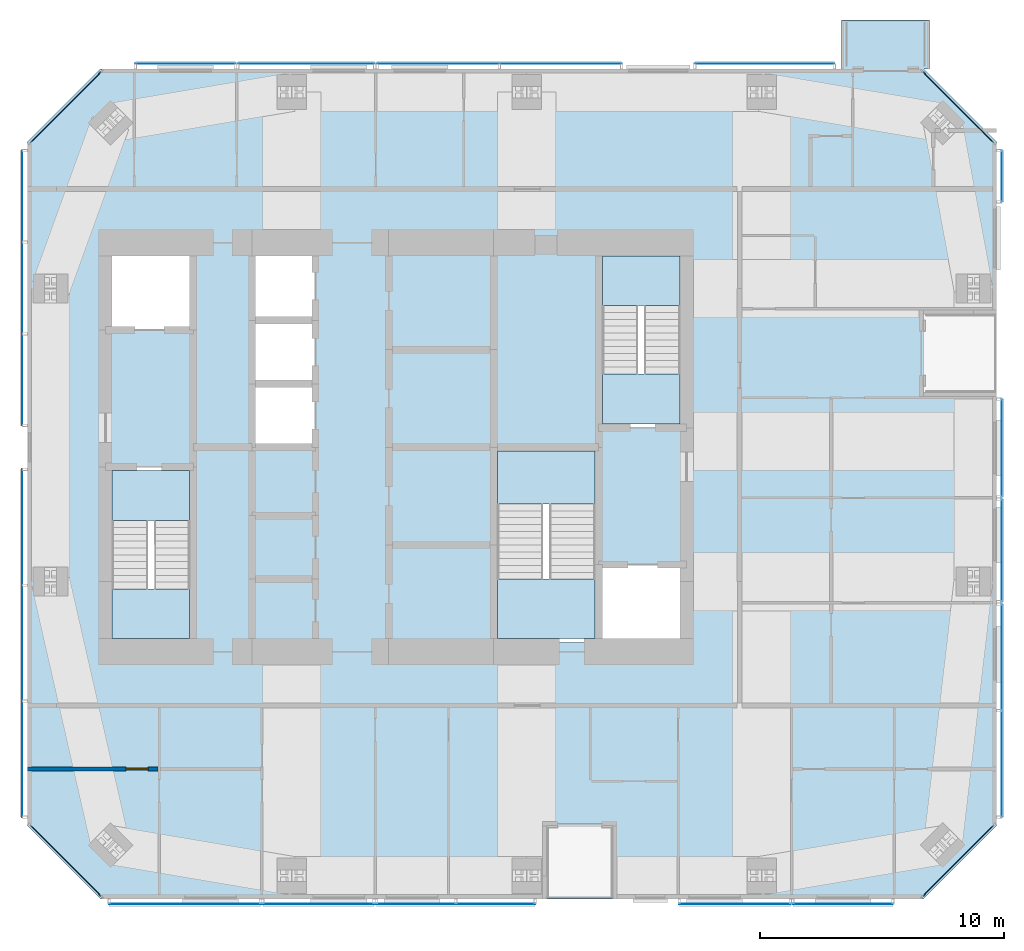
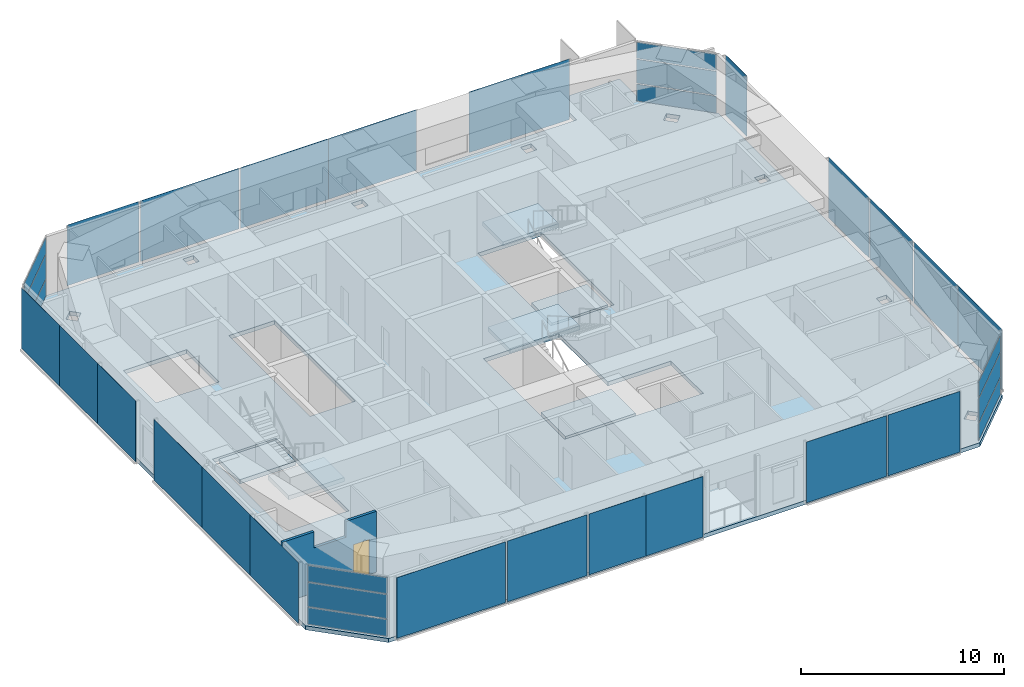
# One storey, part 13 of 20: 34 plates, 7 slabs, 1 door, 1 wall, 1 opening, 22 elements without a shape of their own.
"""IFC4 building model written with IfcOpenShell, lengths in metres."""

from ifc_helpers import new_model, si_unit, direction, frame, frame_2d, origin, origin_2d, place, context, subcontext, project, spatial, polyline, rectangle, outline, extrude, material, layer, layer_set, constituent, constituent_set, type_object, element, fill, aggregate, save


model = new_model("IFC4")

# Units and contexts
model_context = context("Model", 3, precision=1e-05, world=origin(), true_north=direction((0.0, 1.0)))
body_context = subcontext(model_context, "Body", "Model", "MODEL_VIEW")
ifc_project = project(units=[si_unit("LENGTHUNIT", "METRE"), si_unit("AREAUNIT", "SQUARE_METRE"), si_unit("VOLUMEUNIT", "CUBIC_METRE"), si_unit("PLANEANGLEUNIT", "RADIAN"), si_unit("MASSUNIT", "GRAM", prefix="KILO")], contexts=[model_context])

# Site, building, storey
site_placement = place(None, origin())
site = spatial("IfcSite", under=ifc_project, at=site_placement, CompositionType="ELEMENT")
building_placement = place(site_placement, origin())
building = spatial("IfcBuilding", under=site, at=building_placement, Name="Jalousie Tower", CompositionType="ELEMENT")
storey_placement = place(building_placement, frame((0.0, 0.0, 259.949951171875)))
storey = spatial("IfcBuildingStorey", under=building, at=storey_placement, Name="L71", CompositionType="ELEMENT", Elevation=259.949951171875)

# Slab
ifc_material_1 = material(Name="Concrete f'c 40 MPa", Category="concrete")
ifc_layer_1 = layer(ifc_material_1, 0.239990234375)
ifc_layer_set_1 = layer_set([ifc_layer_1], Name="Concrete f'c 40 MPa")
slab_type_1 = type_object("IfcSlabType", Name="FLOOR SLAB 240", PredefinedType="FLOOR", material=ifc_layer_set_1)
slab_1_placement = place(storey_placement, frame((0.0, 0.0, -0.239990234375)))
element("IfcSlab", 1, at=slab_1_placement, inside=storey, type_object=slab_type_1, Name="L71 floor slab", PredefinedType="FLOOR", context=body_context, shape_type="SweptSolid", body=[
    extrude(outline(polyline([(16.800048828125, 3.0), (16.800048828125, 31.0), (19.800048828125, 34.0), (50.148681640625, 34.0), (50.148681640625, 36.0), (53.748779296875, 36.0), (53.748779296875, 34.0), (53.5, 34.0), (56.5, 31.0), (56.5, 3.0), (53.5, 0.0), (19.800048828125, 0.0), (16.800048828125, 3.0)]), holes=[polyline([(55.263916015625, 13.300048828125), (55.263916015625, 12.699951171875), (55.836181640625, 12.699951171875), (55.836181640625, 13.300048828125), (55.263916015625, 13.300048828125)]), polyline([(55.836181640625, 24.699951171875), (55.836181640625, 25.300048828125), (55.263916015625, 25.300048828125), (55.263916015625, 24.699951171875), (55.836181640625, 24.699951171875)]), polyline([(54.247802734375, 32.242919921875), (53.843017578125, 31.837890625), (54.337890625, 31.343017578125), (54.742919921875, 31.747802734375), (54.247802734375, 32.242919921875)]), polyline([(54.337890625, 2.656982421875), (53.843017578125, 2.162109375), (54.247802734375, 1.757080078125), (54.742919921875, 2.252197265625), (54.337890625, 2.656982421875)]), polyline([(46.574951171875, 32.763916015625), (47.175048828125, 32.763916015625), (47.175048828125, 33.336181640625), (46.574951171875, 33.336181640625), (46.574951171875, 32.763916015625)]), polyline([(46.574951171875, 0.663818359375), (47.175048828125, 0.663818359375), (47.175048828125, 1.236083984375), (46.574951171875, 1.236083984375), (46.574951171875, 0.663818359375)]), polyline([(43.800048828125, 10.5), (43.800048828125, 13.699951171875), (40.199951171875, 13.699951171875), (40.199951171875, 18.5), (35.89990234375, 18.5), (35.89990234375, 10.5), (43.800048828125, 10.5)]), polyline([(43.800048828125, 19.300048828125), (43.800048828125, 26.5), (40.199951171875, 26.5), (40.199951171875, 19.300048828125), (43.800048828125, 19.300048828125)]), polyline([(36.949951171875, 32.763916015625), (37.550048828125, 32.763916015625), (37.550048828125, 33.336181640625), (36.949951171875, 33.336181640625), (36.949951171875, 32.763916015625)]), polyline([(37.550048828125, 1.236083984375), (36.949951171875, 1.236083984375), (36.949951171875, 0.663818359375), (37.550048828125, 0.663818359375), (37.550048828125, 1.236083984375)]), polyline([(28.60009765625, 18.5), (28.60009765625, 26.5), (26.0, 26.5), (26.0, 18.5), (28.60009765625, 18.5)]), polyline([(27.324951171875, 32.763916015625), (27.925048828125, 32.763916015625), (27.925048828125, 33.336181640625), (27.324951171875, 33.336181640625), (27.324951171875, 32.763916015625)]), polyline([(27.324951171875, 0.663818359375), (27.925048828125, 0.663818359375), (27.925048828125, 1.236083984375), (27.324951171875, 1.236083984375), (27.324951171875, 0.663818359375)]), polyline([(23.60009765625, 23.300048828125), (23.60009765625, 26.5), (20.0, 26.5), (20.0, 23.300048828125), (23.60009765625, 23.300048828125)]), polyline([(23.60009765625, 10.5), (23.60009765625, 17.699951171875), (20.0, 17.699951171875), (20.0, 10.5), (23.60009765625, 10.5)]), polyline([(19.757080078125, 2.252197265625), (20.252197265625, 1.757080078125), (20.656982421875, 2.162109375), (20.162109375, 2.656982421875), (19.757080078125, 2.252197265625)]), polyline([(19.757080078125, 31.747802734375), (20.162109375, 31.343017578125), (20.656982421875, 31.837890625), (20.252197265625, 32.242919921875), (19.757080078125, 31.747802734375)]), polyline([(18.0361328125, 12.699951171875), (18.0361328125, 13.300048828125), (17.4638671875, 13.300048828125), (17.4638671875, 12.699951171875), (18.0361328125, 12.699951171875)]), polyline([(17.4638671875, 25.300048828125), (17.4638671875, 24.699951171875), (18.0361328125, 24.699951171875), (18.0361328125, 25.300048828125), (17.4638671875, 25.300048828125)])]), origin(), (0.0, 0.0, 1.0), 0.239990234375),
])

# Curtain wall, plates
ifc_material_2 = material(Name="Aluminium curtain wall", Category="aluminium")
curtain_wall_type_1 = type_object("IfcCurtainWallType", Name="PENTHOUSE CORNER WINDOW WALL", PredefinedType="USERDEFINED", material=ifc_material_2)
curtain_wall_1_placement = place(storey_placement, origin())
curtain_wall_1 = element("IfcCurtainWall", 2, at=curtain_wall_1_placement, inside=storey, type_object=curtain_wall_type_1, Name="Penthouse Corner Window Wall L71 2", ObjectType="PENTHOUSE CORNER WINDOW WALL", PredefinedType="USERDEFINED")
ifc_material_3 = material(Name="Laminated impact-rated spandrel glass", Category="glass")
ifc_layer_2 = layer(ifc_material_3, 0.033935546875)
ifc_layer_set_2 = layer_set([ifc_layer_2], Name="Laminated impact-rated spandrel glass")
plate_type_1 = type_object("IfcPlateType", Name="PENTHOUSE CORNER WINDOW WALL PANEL", PredefinedType="CURTAIN_PANEL", material=ifc_layer_set_2)
plate_1_placement = place(storey_placement, frame((54.9306640625, 1.5693359375, 0.06005859375), z_axis=(0.0, 0.0, 1.0), x_axis=(0.707106781187, 0.707106781187, 0.0)))
plate_1 = element("IfcPlate", 3, at=plate_1_placement, type_object=plate_type_1, Name="CW-H panel 1.1", PredefinedType="CURTAIN_PANEL", context=body_context, shape_type="SweptSolid", body=[
    extrude(rectangle(XDim=4.071533203125, YDim=0.033935546875, at=origin_2d()), origin(), (0.0, 0.0, 1.0), 1.010009765625),
])
plate_2_placement = place(storey_placement, frame((54.9306640625, 1.5693359375, 1.130126953125), z_axis=(0.0, 0.0, 1.0), x_axis=(0.707106781187, 0.707106781187, 0.0)))
plate_2 = element("IfcPlate", 4, at=plate_2_placement, type_object=plate_type_1, Name="CW-H panel 1.2", PredefinedType="CURTAIN_PANEL", context=body_context, shape_type="SweptSolid", body=[
    extrude(rectangle(XDim=4.071533203125, YDim=0.033935546875, at=origin_2d()), origin(), (0.0, 0.0, 1.0), 1.43994140625),
])
plate_3_placement = place(storey_placement, frame((54.9306640625, 1.5693359375, 2.6298828125), z_axis=(0.0, 0.0, 1.0), x_axis=(0.707106781187, 0.707106781187, 0.0)))
plate_3 = element("IfcPlate", 5, at=plate_3_placement, type_object=plate_type_1, Name="CW-H panel 1.3", PredefinedType="CURTAIN_PANEL", context=body_context, shape_type="SweptSolid", body=[
    extrude(rectangle(XDim=4.071533203125, YDim=0.033935546875, at=origin_2d()), origin(), (0.0, 0.0, 1.0), 0.969970703125),
])
aggregate(curtain_wall_1, [plate_1, plate_2, plate_3])

curtain_wall_2_placement = place(storey_placement, origin())
curtain_wall_2 = element("IfcCurtainWall", 6, at=curtain_wall_2_placement, inside=storey, type_object=curtain_wall_type_1, Name="Penthouse Corner Window Wall L71 4", ObjectType="PENTHOUSE CORNER WINDOW WALL", PredefinedType="USERDEFINED")
plate_4_placement = place(storey_placement, frame((54.9306640625, 32.4306640625, 0.06005859375), z_axis=(0.0, 0.0, 1.0), x_axis=(-0.707106781187, 0.707106781187, 0.0)))
plate_4 = element("IfcPlate", 7, at=plate_4_placement, type_object=plate_type_1, Name="CW-H panel 1.1", PredefinedType="CURTAIN_PANEL", context=body_context, shape_type="SweptSolid", body=[
    extrude(rectangle(XDim=4.071533203125, YDim=0.033935546875, at=origin_2d()), origin(), (0.0, 0.0, 1.0), 1.010009765625),
])
plate_5_placement = place(storey_placement, frame((54.9306640625, 32.4306640625, 1.130126953125), z_axis=(0.0, 0.0, 1.0), x_axis=(-0.707106781187, 0.707106781187, 0.0)))
plate_5 = element("IfcPlate", 8, at=plate_5_placement, type_object=plate_type_1, Name="CW-H panel 1.2", PredefinedType="CURTAIN_PANEL", context=body_context, shape_type="SweptSolid", body=[
    extrude(rectangle(XDim=4.071533203125, YDim=0.033935546875, at=origin_2d()), origin(), (0.0, 0.0, 1.0), 1.43994140625),
])
plate_6_placement = place(storey_placement, frame((54.9306640625, 32.4306640625, 2.6298828125), z_axis=(0.0, 0.0, 1.0), x_axis=(-0.707106781187, 0.707106781187, 0.0)))
plate_6 = element("IfcPlate", 9, at=plate_6_placement, type_object=plate_type_1, Name="CW-H panel 1.3", PredefinedType="CURTAIN_PANEL", context=body_context, shape_type="SweptSolid", body=[
    extrude(rectangle(XDim=4.071533203125, YDim=0.033935546875, at=origin_2d()), origin(), (0.0, 0.0, 1.0), 0.969970703125),
])
aggregate(curtain_wall_2, [plate_4, plate_5, plate_6])

curtain_wall_3_placement = place(storey_placement, origin())
curtain_wall_3 = element("IfcCurtainWall", 10, at=curtain_wall_3_placement, inside=storey, type_object=curtain_wall_type_1, Name="Penthouse Corner Window Wall L71 6", ObjectType="PENTHOUSE CORNER WINDOW WALL", PredefinedType="USERDEFINED")
plate_7_placement = place(storey_placement, frame((18.369384765625, 32.4306640625, 0.06005859375), z_axis=(0.0, 0.0, 1.0), x_axis=(-0.707106781187, -0.707106781187, 0.0)))
plate_7 = element("IfcPlate", 11, at=plate_7_placement, type_object=plate_type_1, Name="CW-H panel 1.1", PredefinedType="CURTAIN_PANEL", context=body_context, shape_type="SweptSolid", body=[
    extrude(rectangle(XDim=4.071533203125, YDim=0.033935546875, at=origin_2d()), origin(), (0.0, 0.0, 1.0), 1.010009765625),
])
plate_8_placement = place(storey_placement, frame((18.369384765625, 32.4306640625, 1.130126953125), z_axis=(0.0, 0.0, 1.0), x_axis=(-0.707106781187, -0.707106781187, 0.0)))
plate_8 = element("IfcPlate", 12, at=plate_8_placement, type_object=plate_type_1, Name="CW-H panel 1.2", PredefinedType="CURTAIN_PANEL", context=body_context, shape_type="SweptSolid", body=[
    extrude(rectangle(XDim=4.071533203125, YDim=0.033935546875, at=origin_2d()), origin(), (0.0, 0.0, 1.0), 1.43994140625),
])
plate_9_placement = place(storey_placement, frame((18.369384765625, 32.4306640625, 2.6298828125), z_axis=(0.0, 0.0, 1.0), x_axis=(-0.707106781187, -0.707106781187, 0.0)))
plate_9 = element("IfcPlate", 13, at=plate_9_placement, type_object=plate_type_1, Name="CW-H panel 1.3", PredefinedType="CURTAIN_PANEL", context=body_context, shape_type="SweptSolid", body=[
    extrude(rectangle(XDim=4.071533203125, YDim=0.033935546875, at=origin_2d()), origin(), (0.0, 0.0, 1.0), 0.969970703125),
])
aggregate(curtain_wall_3, [plate_7, plate_8, plate_9])

curtain_wall_4_placement = place(storey_placement, origin())
curtain_wall_4 = element("IfcCurtainWall", 14, at=curtain_wall_4_placement, inside=storey, type_object=curtain_wall_type_1, Name="Penthouse Corner Window Wall L71 8", ObjectType="PENTHOUSE CORNER WINDOW WALL", PredefinedType="USERDEFINED")
plate_10_placement = place(storey_placement, frame((18.369384765625, 1.5693359375, 0.06005859375), z_axis=(0.0, 0.0, 1.0), x_axis=(0.707106781187, -0.707106781187, 0.0)))
plate_10 = element("IfcPlate", 15, at=plate_10_placement, type_object=plate_type_1, Name="CW-H panel 1.1", PredefinedType="CURTAIN_PANEL", context=body_context, shape_type="SweptSolid", body=[
    extrude(rectangle(XDim=4.071533203125, YDim=0.033935546875, at=origin_2d()), origin(), (0.0, 0.0, 1.0), 1.010009765625),
])
plate_11_placement = place(storey_placement, frame((18.369384765625, 1.5693359375, 1.130126953125), z_axis=(0.0, 0.0, 1.0), x_axis=(0.707106781187, -0.707106781187, 0.0)))
plate_11 = element("IfcPlate", 16, at=plate_11_placement, type_object=plate_type_1, Name="CW-H panel 1.2", PredefinedType="CURTAIN_PANEL", context=body_context, shape_type="SweptSolid", body=[
    extrude(rectangle(XDim=4.071533203125, YDim=0.033935546875, at=origin_2d()), origin(), (0.0, 0.0, 1.0), 1.43994140625),
])
plate_12_placement = place(storey_placement, frame((18.369384765625, 1.5693359375, 2.6298828125), z_axis=(0.0, 0.0, 1.0), x_axis=(0.707106781187, -0.707106781187, 0.0)))
plate_12 = element("IfcPlate", 17, at=plate_12_placement, type_object=plate_type_1, Name="CW-H panel 1.3", PredefinedType="CURTAIN_PANEL", context=body_context, shape_type="SweptSolid", body=[
    extrude(rectangle(XDim=4.071533203125, YDim=0.033935546875, at=origin_2d()), origin(), (0.0, 0.0, 1.0), 0.969970703125),
])
aggregate(curtain_wall_4, [plate_10, plate_11, plate_12])

# Curtain wall, plate
ifc_material_4 = material(Name="Perforated aluminium sheet", Category="aluminium")
curtain_wall_type_2 = type_object("IfcCurtainWallType", Name="SOLAR SCREEN SS-2", PredefinedType="USERDEFINED", material=ifc_material_4)
curtain_wall_5_placement = place(storey_placement, origin())
curtain_wall_5 = element("IfcCurtainWall", 18, at=curtain_wall_5_placement, inside=storey, type_object=curtain_wall_type_2, Name="Solar screen L71", ObjectType="SOLAR SCREEN SS-2", PredefinedType="USERDEFINED")
ifc_material_5 = material(Name="Perforated aluminium sheet", Category="aluminium")
ifc_layer_3 = layer(ifc_material_5, 0.006103515625)
ifc_layer_set_3 = layer_set([ifc_layer_3], Name="Perforated aluminium sheet")
plate_type_2 = type_object("IfcPlateType", Name="SOLAR SCREEN SS-2 PANEL", PredefinedType="CURTAIN_PANEL", material=ifc_layer_set_3)
plate_13_placement = place(storey_placement, frame((23.250732421875, -0.201171875, 0.0), z_axis=(0.0, 0.0, 1.0), x_axis=(1.0, 0.0, 0.0)))
plate_13 = element("IfcPlate", 19, at=plate_13_placement, type_object=plate_type_2, Name="SS2 perforated panel 1", PredefinedType="CURTAIN_PANEL", context=body_context, shape_type="SweptSolid", body=[
    extrude(rectangle(XDim=6.19873046875, YDim=0.006103515625, at=origin_2d()), origin(), (0.0, 0.0, 1.0), 3.659912109375),
])
aggregate(curtain_wall_5, [plate_13])

curtain_wall_6_placement = place(storey_placement, origin())
curtain_wall_6 = element("IfcCurtainWall", 20, at=curtain_wall_6_placement, inside=storey, type_object=curtain_wall_type_2, Name="Solar screen L71", ObjectType="SOLAR SCREEN SS-2", PredefinedType="USERDEFINED")
plate_14_placement = place(storey_placement, frame((28.72509765625, -0.201171875, 0.0), z_axis=(0.0, 0.0, 1.0), x_axis=(1.0, 0.0, 0.0)))
plate_14 = element("IfcPlate", 21, at=plate_14_placement, type_object=plate_type_2, Name="SS2 perforated panel 1", PredefinedType="CURTAIN_PANEL", context=body_context, shape_type="SweptSolid", body=[
    extrude(rectangle(XDim=4.550048828125, YDim=0.006103515625, at=origin_2d()), origin(), (0.0, 0.0, 1.0), 3.659912109375),
])
aggregate(curtain_wall_6, [plate_14])

# Curtain wall, plates
curtain_wall_7_placement = place(storey_placement, origin())
curtain_wall_7 = element("IfcCurtainWall", 22, at=curtain_wall_7_placement, inside=storey, type_object=curtain_wall_type_2, Name="Solar screen L71", ObjectType="SOLAR SCREEN SS-2", PredefinedType="USERDEFINED")
plate_15_placement = place(storey_placement, frame((32.72509765625, -0.201171875, 0.0), z_axis=(0.0, 0.0, 1.0), x_axis=(1.0, 0.0, 0.0)))
plate_15 = element("IfcPlate", 23, at=plate_15_placement, type_object=plate_type_2, Name="SS2 perforated panel 1", PredefinedType="CURTAIN_PANEL", context=body_context, shape_type="SweptSolid", body=[
    extrude(rectangle(XDim=3.25, YDim=0.006103515625, at=origin_2d()), origin(), (0.0, 0.0, 1.0), 3.659912109375),
])
plate_16_placement = place(storey_placement, frame((35.97509765625, -0.201171875, 0.0), z_axis=(0.0, 0.0, 1.0), x_axis=(1.0, 0.0, 0.0)))
plate_16 = element("IfcPlate", 24, at=plate_16_placement, type_object=plate_type_2, Name="SS2 perforated panel 2", PredefinedType="CURTAIN_PANEL", context=body_context, shape_type="SweptSolid", body=[
    extrude(rectangle(XDim=3.25, YDim=0.006103515625, at=origin_2d()), origin(), (0.0, 0.0, 1.0), 3.659912109375),
])
aggregate(curtain_wall_7, [plate_15, plate_16])

# Curtain wall, plate
curtain_wall_8_placement = place(storey_placement, origin())
curtain_wall_8 = element("IfcCurtainWall", 25, at=curtain_wall_8_placement, inside=storey, type_object=curtain_wall_type_2, Name="Solar screen L71", ObjectType="SOLAR SCREEN SS-2", PredefinedType="USERDEFINED")
plate_17_placement = place(storey_placement, frame((45.77490234375, -0.201171875, 0.0), z_axis=(0.0, 0.0, 1.0), x_axis=(1.0, 0.0, 0.0)))
plate_17 = element("IfcPlate", 26, at=plate_17_placement, type_object=plate_type_2, Name="SS2 perforated panel 1", PredefinedType="CURTAIN_PANEL", context=body_context, shape_type="SweptSolid", body=[
    extrude(rectangle(XDim=4.550048828125, YDim=0.006103515625, at=origin_2d()), origin(), (0.0, 0.0, 1.0), 3.659912109375),
])
aggregate(curtain_wall_8, [plate_17])

curtain_wall_9_placement = place(storey_placement, origin())
curtain_wall_9 = element("IfcCurtainWall", 27, at=curtain_wall_9_placement, inside=storey, type_object=curtain_wall_type_2, Name="Solar screen L71", ObjectType="SOLAR SCREEN SS-2", PredefinedType="USERDEFINED")
plate_18_placement = place(storey_placement, frame((50.199951171875, -0.201171875, 0.0), z_axis=(0.0, 0.0, 1.0), x_axis=(1.0, 0.0, 0.0)))
plate_18 = element("IfcPlate", 28, at=plate_18_placement, type_object=plate_type_2, Name="SS2 perforated panel 1", PredefinedType="CURTAIN_PANEL", context=body_context, shape_type="SweptSolid", body=[
    extrude(rectangle(XDim=4.10009765625, YDim=0.006103515625, at=origin_2d()), origin(), (0.0, 0.0, 1.0), 3.659912109375),
])
aggregate(curtain_wall_9, [plate_18])

# Curtain wall, plates
curtain_wall_10_placement = place(storey_placement, origin())
curtain_wall_10 = element("IfcCurtainWall", 29, at=curtain_wall_10_placement, inside=storey, type_object=curtain_wall_type_2, Name="Solar screen L71", ObjectType="SOLAR SCREEN SS-2", PredefinedType="USERDEFINED")
plate_19_placement = place(storey_placement, frame((56.701171875, 5.5322265625, 0.0), z_axis=(0.0, 0.0, 1.0), x_axis=(0.0, 1.0, 0.0)))
plate_19 = element("IfcPlate", 30, at=plate_19_placement, type_object=plate_type_2, Name="SS2 perforated panel 1", PredefinedType="CURTAIN_PANEL", context=body_context, shape_type="SweptSolid", body=[
    extrude(rectangle(XDim=4.36181640625, YDim=0.006103515625, at=origin_2d()), origin(), (0.0, 0.0, 1.0), 3.659912109375),
])
plate_20_placement = place(storey_placement, frame((56.701171875, 9.89404296875, 0.0), z_axis=(0.0, 0.0, 1.0), x_axis=(0.0, 1.0, 0.0)))
plate_20 = element("IfcPlate", 31, at=plate_20_placement, type_object=plate_type_2, Name="SS2 perforated panel 2", PredefinedType="CURTAIN_PANEL", context=body_context, shape_type="SweptSolid", body=[
    extrude(rectangle(XDim=4.36181640625, YDim=0.006103515625, at=origin_2d()), origin(), (0.0, 0.0, 1.0), 3.659912109375),
])
aggregate(curtain_wall_10, [plate_19, plate_20])

# Curtain wall, plate
curtain_wall_11_placement = place(storey_placement, origin())
curtain_wall_11 = element("IfcCurtainWall", 32, at=curtain_wall_11_placement, inside=storey, type_object=curtain_wall_type_2, Name="Solar screen L71", ObjectType="SOLAR SCREEN SS-2", PredefinedType="USERDEFINED")
plate_21_placement = place(storey_placement, frame((56.701171875, 14.27490234375, 0.0), z_axis=(0.0, 0.0, 1.0), x_axis=(0.0, 1.0, 0.0)))
plate_21 = element("IfcPlate", 33, at=plate_21_placement, type_object=plate_type_2, Name="SS2 perforated panel 1", PredefinedType="CURTAIN_PANEL", context=body_context, shape_type="SweptSolid", body=[
    extrude(rectangle(XDim=4.199951171875, YDim=0.006103515625, at=origin_2d()), origin(), (0.0, 0.0, 1.0), 3.659912109375),
])
aggregate(curtain_wall_11, [plate_21])

curtain_wall_12_placement = place(storey_placement, origin())
curtain_wall_12 = element("IfcCurtainWall", 34, at=curtain_wall_12_placement, inside=storey, type_object=curtain_wall_type_2, Name="Solar screen L71", ObjectType="SOLAR SCREEN SS-2", PredefinedType="USERDEFINED")
plate_22_placement = place(storey_placement, frame((56.701171875, 18.47509765625, 0.0), z_axis=(0.0, 0.0, 1.0), x_axis=(0.0, 1.0, 0.0)))
plate_22 = element("IfcPlate", 35, at=plate_22_placement, type_object=plate_type_2, Name="SS2 perforated panel 1", PredefinedType="CURTAIN_PANEL", context=body_context, shape_type="SweptSolid", body=[
    extrude(rectangle(XDim=4.0, YDim=0.006103515625, at=origin_2d()), origin(), (0.0, 0.0, 1.0), 3.659912109375),
])
aggregate(curtain_wall_12, [plate_22])

curtain_wall_13_placement = place(storey_placement, origin())
curtain_wall_13 = element("IfcCurtainWall", 36, at=curtain_wall_13_placement, inside=storey, type_object=curtain_wall_type_2, Name="Solar screen L71", ObjectType="SOLAR SCREEN SS-2", PredefinedType="USERDEFINED")
plate_23_placement = place(storey_placement, frame((56.701171875, 29.601318359375, 0.0), z_axis=(0.0, 0.0, 1.0), x_axis=(0.0, 1.0, 0.0)))
plate_23 = element("IfcPlate", 37, at=plate_23_placement, type_object=plate_type_2, Name="SS2 perforated panel 1", PredefinedType="CURTAIN_PANEL", context=body_context, shape_type="SweptSolid", body=[
    extrude(rectangle(XDim=2.094970703125, YDim=0.006103515625, at=origin_2d()), origin(), (0.0, 0.0, 1.0), 3.659912109375),
])
aggregate(curtain_wall_13, [plate_23])

curtain_wall_14_placement = place(storey_placement, origin())
curtain_wall_14 = element("IfcCurtainWall", 38, at=curtain_wall_14_placement, inside=storey, type_object=curtain_wall_type_2, Name="Solar screen L71", ObjectType="SOLAR SCREEN SS-2", PredefinedType="USERDEFINED")
plate_24_placement = place(storey_placement, frame((46.99365234375, 34.201171875, 0.0), z_axis=(0.0, 0.0, 1.0), x_axis=(-1.0, 0.0, 0.0)))
plate_24 = element("IfcPlate", 39, at=plate_24_placement, type_object=plate_type_2, Name="SS2 perforated panel 1", PredefinedType="CURTAIN_PANEL", context=body_context, shape_type="SweptSolid", body=[
    extrude(rectangle(XDim=5.7099609375, YDim=0.006103515625, at=origin_2d()), origin(), (0.0, 0.0, 1.0), 3.659912109375),
])
aggregate(curtain_wall_14, [plate_24])

# Curtain wall, plates
curtain_wall_15_placement = place(storey_placement, origin())
curtain_wall_15 = element("IfcCurtainWall", 40, at=curtain_wall_15_placement, inside=storey, type_object=curtain_wall_type_2, Name="Solar screen L71", ObjectType="SOLAR SCREEN SS-2", PredefinedType="USERDEFINED")
plate_25_placement = place(storey_placement, frame((38.63525390625, 34.201171875, 0.0), z_axis=(0.0, 0.0, 1.0), x_axis=(-1.0, 0.0, 0.0)))
plate_25 = element("IfcPlate", 41, at=plate_25_placement, type_object=plate_type_2, Name="SS2 perforated panel 1", PredefinedType="CURTAIN_PANEL", context=body_context, shape_type="SweptSolid", body=[
    extrude(rectangle(XDim=5.0068359375, YDim=0.006103515625, at=origin_2d()), origin(), (0.0, 0.0, 1.0), 3.659912109375),
])
plate_26_placement = place(storey_placement, frame((33.62841796875, 34.201171875, 0.0), z_axis=(0.0, 0.0, 1.0), x_axis=(-1.0, 0.0, 0.0)))
plate_26 = element("IfcPlate", 42, at=plate_26_placement, type_object=plate_type_2, Name="SS2 perforated panel 2", PredefinedType="CURTAIN_PANEL", context=body_context, shape_type="SweptSolid", body=[
    extrude(rectangle(XDim=5.0068359375, YDim=0.006103515625, at=origin_2d()), origin(), (0.0, 0.0, 1.0), 3.659912109375),
])
aggregate(curtain_wall_15, [plate_25, plate_26])

# Curtain wall, plate
curtain_wall_16_placement = place(storey_placement, origin())
curtain_wall_16 = element("IfcCurtainWall", 43, at=curtain_wall_16_placement, inside=storey, type_object=curtain_wall_type_2, Name="Solar screen L71", ObjectType="SOLAR SCREEN SS-2", PredefinedType="USERDEFINED")
plate_27_placement = place(storey_placement, frame((28.22509765625, 34.201171875, 0.0), z_axis=(0.0, 0.0, 1.0), x_axis=(-1.0, 0.0, 0.0)))
plate_27 = element("IfcPlate", 44, at=plate_27_placement, type_object=plate_type_2, Name="SS2 perforated panel 1", PredefinedType="CURTAIN_PANEL", context=body_context, shape_type="SweptSolid", body=[
    extrude(rectangle(XDim=5.60009765625, YDim=0.006103515625, at=origin_2d()), origin(), (0.0, 0.0, 1.0), 3.659912109375),
])
aggregate(curtain_wall_16, [plate_27])

curtain_wall_17_placement = place(storey_placement, origin())
curtain_wall_17 = element("IfcCurtainWall", 45, at=curtain_wall_17_placement, inside=storey, type_object=curtain_wall_type_2, Name="Solar screen L71", ObjectType="SOLAR SCREEN SS-2", PredefinedType="USERDEFINED")
plate_28_placement = place(storey_placement, frame((23.275634765625, 34.201171875, 0.0), z_axis=(0.0, 0.0, 1.0), x_axis=(-1.0, 0.0, 0.0)))
plate_28 = element("IfcPlate", 46, at=plate_28_placement, type_object=plate_type_2, Name="SS2 perforated panel 1", PredefinedType="CURTAIN_PANEL", context=body_context, shape_type="SweptSolid", body=[
    extrude(rectangle(XDim=4.0986328125, YDim=0.006103515625, at=origin_2d()), origin(), (0.0, 0.0, 1.0), 3.659912109375),
])
aggregate(curtain_wall_17, [plate_28])

# Curtain wall, plates
curtain_wall_18_placement = place(storey_placement, origin())
curtain_wall_18 = element("IfcCurtainWall", 47, at=curtain_wall_18_placement, inside=storey, type_object=curtain_wall_type_2, Name="Solar screen L71", ObjectType="SOLAR SCREEN SS-2", PredefinedType="USERDEFINED")
plate_29_placement = place(storey_placement, frame((16.598876953125, 28.77392578125, 0.0), z_axis=(0.0, 0.0, 1.0), x_axis=(0.0, -1.0, 0.0)))
plate_29 = element("IfcPlate", 48, at=plate_29_placement, type_object=plate_type_2, Name="SS2 perforated panel 1", PredefinedType="CURTAIN_PANEL", context=body_context, shape_type="SweptSolid", body=[
    extrude(rectangle(XDim=3.74951171875, YDim=0.006103515625, at=origin_2d()), origin(), (0.0, 0.0, 1.0), 3.659912109375),
])
plate_30_placement = place(storey_placement, frame((16.598876953125, 25.0244140625, 0.0), z_axis=(0.0, 0.0, 1.0), x_axis=(0.0, -1.0, 0.0)))
plate_30 = element("IfcPlate", 49, at=plate_30_placement, type_object=plate_type_2, Name="SS2 perforated panel 2", PredefinedType="CURTAIN_PANEL", context=body_context, shape_type="SweptSolid", body=[
    extrude(rectangle(XDim=3.74951171875, YDim=0.006103515625, at=origin_2d()), origin(), (0.0, 0.0, 1.0), 3.659912109375),
])
plate_31_placement = place(storey_placement, frame((16.598876953125, 21.27490234375, 0.0), z_axis=(0.0, 0.0, 1.0), x_axis=(0.0, -1.0, 0.0)))
plate_31 = element("IfcPlate", 50, at=plate_31_placement, type_object=plate_type_2, Name="SS2 perforated panel 3", PredefinedType="CURTAIN_PANEL", context=body_context, shape_type="SweptSolid", body=[
    extrude(rectangle(XDim=3.74951171875, YDim=0.006103515625, at=origin_2d()), origin(), (0.0, 0.0, 1.0), 3.659912109375),
])
aggregate(curtain_wall_18, [plate_29, plate_30, plate_31])

curtain_wall_19_placement = place(storey_placement, origin())
curtain_wall_19 = element("IfcCurtainWall", 51, at=curtain_wall_19_placement, inside=storey, type_object=curtain_wall_type_2, Name="Solar screen L71", ObjectType="SOLAR SCREEN SS-2", PredefinedType="USERDEFINED")
plate_32_placement = place(storey_placement, frame((16.598876953125, 15.22509765625, 0.0), z_axis=(0.0, 0.0, 1.0), x_axis=(0.0, -1.0, 0.0)))
plate_32 = element("IfcPlate", 52, at=plate_32_placement, type_object=plate_type_2, Name="SS2 perforated panel 1", PredefinedType="CURTAIN_PANEL", context=body_context, shape_type="SweptSolid", body=[
    extrude(rectangle(XDim=4.74951171875, YDim=0.006103515625, at=origin_2d()), origin(), (0.0, 0.0, 1.0), 3.659912109375),
])
plate_33_placement = place(storey_placement, frame((16.598876953125, 10.4755859375, 0.0), z_axis=(0.0, 0.0, 1.0), x_axis=(0.0, -1.0, 0.0)))
plate_33 = element("IfcPlate", 53, at=plate_33_placement, type_object=plate_type_2, Name="SS2 perforated panel 2", PredefinedType="CURTAIN_PANEL", context=body_context, shape_type="SweptSolid", body=[
    extrude(rectangle(XDim=4.74951171875, YDim=0.006103515625, at=origin_2d()), origin(), (0.0, 0.0, 1.0), 3.659912109375),
])
plate_34_placement = place(storey_placement, frame((16.598876953125, 5.72607421875, 0.0), z_axis=(0.0, 0.0, 1.0), x_axis=(0.0, -1.0, 0.0)))
plate_34 = element("IfcPlate", 54, at=plate_34_placement, type_object=plate_type_2, Name="SS2 perforated panel 3", PredefinedType="CURTAIN_PANEL", context=body_context, shape_type="SweptSolid", body=[
    extrude(rectangle(XDim=4.74951171875, YDim=0.006103515625, at=origin_2d()), origin(), (0.0, 0.0, 1.0), 3.659912109375),
])
aggregate(curtain_wall_19, [plate_32, plate_33, plate_34])

# Stair, slabs
ifc_material_6 = material(Name="Concrete f'c 40 MPa", Category="concrete")
stair_type = type_object("IfcStairType", Name="EXIT STAIR", PredefinedType="HALF_TURN_STAIR", material=ifc_material_6)
stair_1_placement = place(storey_placement, origin())
stair_1 = element("IfcStair", 55, at=stair_1_placement, inside=storey, type_object=stair_type, Name="Exit stair A L71", PredefinedType="HALF_TURN_STAIR")
ifc_material_7 = material(Name="Concrete f'c 40 MPa", Category="concrete")
ifc_layer_4 = layer(ifc_material_7, 0.25)
ifc_layer_set_4 = layer_set([ifc_layer_4], Name="Concrete f'c 40 MPa")
slab_type_2 = type_object("IfcSlabType", Name="STAIR LANDING 250", PredefinedType="LANDING", material=ifc_layer_set_4)
slab_2_placement = place(storey_placement, frame((0.0, 0.0, -0.25)))
slab_2 = element("IfcSlab", 56, at=slab_2_placement, type_object=slab_type_2, Name="ST-A landing 1", PredefinedType="LANDING", context=body_context, shape_type="SweptSolid", body=[
    extrude(outline(polyline([(20.27490234375, 15.49755859375), (23.449951171875, 15.49755859375), (23.449951171875, 17.550048828125), (20.27490234375, 17.550048828125), (20.27490234375, 15.49755859375)])), origin(), (0.0, 0.0, 1.0), 0.25),
])
slab_3_placement = place(storey_placement, frame((0.0, 0.0, 1.699951171875)))
slab_3 = element("IfcSlab", 57, at=slab_3_placement, type_object=slab_type_2, Name="ST-A landing 2", PredefinedType="LANDING", context=body_context, shape_type="SweptSolid", body=[
    extrude(outline(polyline([(20.27490234375, 10.675048828125), (23.449951171875, 10.675048828125), (23.449951171875, 12.697509765625), (20.27490234375, 12.697509765625), (20.27490234375, 10.675048828125)])), origin(), (0.0, 0.0, 1.0), 0.25),
])
aggregate(stair_1, [slab_2, slab_3])

stair_2_placement = place(storey_placement, origin())
stair_2 = element("IfcStair", 58, at=stair_2_placement, inside=storey, type_object=stair_type, Name="Exit stair B L71", PredefinedType="HALF_TURN_STAIR")
slab_4_placement = place(storey_placement, frame((0.0, 0.0, -0.25)))
slab_4 = element("IfcSlab", 59, at=slab_4_placement, type_object=slab_type_2, Name="ST-B landing 1", PredefinedType="LANDING", context=body_context, shape_type="SweptSolid", body=[
    extrude(outline(polyline([(40.35009765625, 19.449951171875), (43.52490234375, 19.449951171875), (43.52490234375, 21.50244140625), (40.35009765625, 21.50244140625), (40.35009765625, 19.449951171875)])), origin(), (0.0, 0.0, 1.0), 0.25),
])
slab_5_placement = place(storey_placement, frame((0.0, 0.0, 1.699951171875)))
slab_5 = element("IfcSlab", 60, at=slab_5_placement, type_object=slab_type_2, Name="ST-B landing 2", PredefinedType="LANDING", context=body_context, shape_type="SweptSolid", body=[
    extrude(outline(polyline([(40.35009765625, 24.302490234375), (43.52490234375, 24.302490234375), (43.52490234375, 26.324951171875), (40.35009765625, 26.324951171875), (40.35009765625, 24.302490234375)])), origin(), (0.0, 0.0, 1.0), 0.25),
])
aggregate(stair_2, [slab_4, slab_5])

stair_3_placement = place(storey_placement, origin())
stair_3 = element("IfcStair", 61, at=stair_3_placement, inside=storey, type_object=stair_type, Name="Exit stair C L71", PredefinedType="HALF_TURN_STAIR")
slab_6_placement = place(storey_placement, frame((0.0, 0.0, -0.25)))
slab_6 = element("IfcSlab", 62, at=slab_6_placement, type_object=slab_type_2, Name="ST-C landing 1", PredefinedType="LANDING", context=body_context, shape_type="SweptSolid", body=[
    extrude(outline(polyline([(36.050048828125, 10.675048828125), (40.050048828125, 10.675048828125), (40.050048828125, 13.097412109375), (36.050048828125, 13.097412109375), (36.050048828125, 10.675048828125)])), origin(), (0.0, 0.0, 1.0), 0.25),
])
slab_7_placement = place(storey_placement, frame((0.0, 0.0, 1.699951171875)))
slab_7 = element("IfcSlab", 63, at=slab_7_placement, type_object=slab_type_2, Name="ST-C landing 2", PredefinedType="LANDING", context=body_context, shape_type="SweptSolid", body=[
    extrude(outline(polyline([(36.050048828125, 16.177490234375), (40.050048828125, 16.177490234375), (40.050048828125, 18.35009765625), (36.050048828125, 18.35009765625), (36.050048828125, 16.177490234375)])), origin(), (0.0, 0.0, 1.0), 0.25),
])
aggregate(stair_3, [slab_6, slab_7])

# Wall, opening, door
ifc_material_8 = material(Name="Concrete block ASTM C90", Category="concrete")
ifc_constituent_1 = constituent(ifc_material_8, Name="Body")
ifc_material_9 = material(Name="Render")
ifc_constituent_2 = constituent(ifc_material_9, Name="Finish")
ifc_constituent_set = constituent_set(constituents=[ifc_constituent_1, ifc_constituent_2])
wall_type = type_object("IfcWallType", Name="BATHROOM WALL 150", PredefinedType="PLUMBINGWALL", material=ifc_constituent_set)
wall_placement = place(storey_placement, frame((16.800048828125, 5.324951171875, 0.0), z_axis=(0.0, 0.0, 1.0), x_axis=(1.0, 0.0, 0.0)))
wall = element("IfcWall", 64, at=wall_placement, inside=storey, type_object=wall_type, Name="Bathroom Wall 150 L71", PredefinedType="PLUMBINGWALL", context=body_context, shape_type="SweptSolid", body=[
    extrude(outline(polyline([(0.0, 0.0), (5.349853515625, 0.0), (5.35009765625, 3.66015625), (3.60498046875, 3.66015625), (3.60498046875, 2.699951171875), (1.78955078125, 2.699951171875), (1.78955078125, 3.66015625), (0.0, 3.66015625), (0.0, 0.0)])), frame((0.0, 0.074951171875, 0.0), z_axis=(0.0, -1.0, 0.0), x_axis=(1.0, 0.0, 0.0)), (0.0, 0.0, 1.0), 0.14990234375),
])
opening_placement = place(wall_placement, frame((4.050048828125, 0.0, 0.0)))
opening = element("IfcOpeningElement", 65, at=opening_placement, cuts=wall, Name="Opening D3", PredefinedType="OPENING", context=body_context, shape_type="SweptSolid", body=[
    extrude(rectangle(XDim=0.89990234375, YDim=2.10009765625, at=frame_2d((0.449951171875, 1.050048828125))), frame((0.0, 0.0849609375, 0.0), z_axis=(0.0, -1.0, 0.0), x_axis=(1.0, 0.0, 0.0)), (0.0, 0.0, 1.0), 0.169921875),
])
ifc_material_10 = material(Name="Timber door", Category="wood")
door_type = type_object("IfcDoorType", Name="BATHROOM DOOR 900", OperationType="SINGLE_SWING_LEFT", PredefinedType="DOOR", material=ifc_material_10)
door_placement = place(opening_placement, origin())
door = element("IfcDoor", 66, at=door_placement, inside=storey, type_object=door_type, Name="Apartment 7101 bedroom 1 bathroom door", OperationType="SINGLE_SWING_RIGHT", OverallHeight=2.10009765625, OverallWidth=0.89990234375, PredefinedType="DOOR", context=body_context, shape_type="SweptSolid", body=[
    extrude(rectangle(XDim=0.89990234375, YDim=2.10009765625, at=frame_2d((0.449951171875, 1.050048828125))), frame((0.0, 0.02490234375, 0.0), z_axis=(0.0, -1.0, 0.0), x_axis=(1.0, 0.0, 0.0)), (0.0, 0.0, 1.0), 0.050048828125),
])
fill(opening, door)

save(model, "model.ifc")
